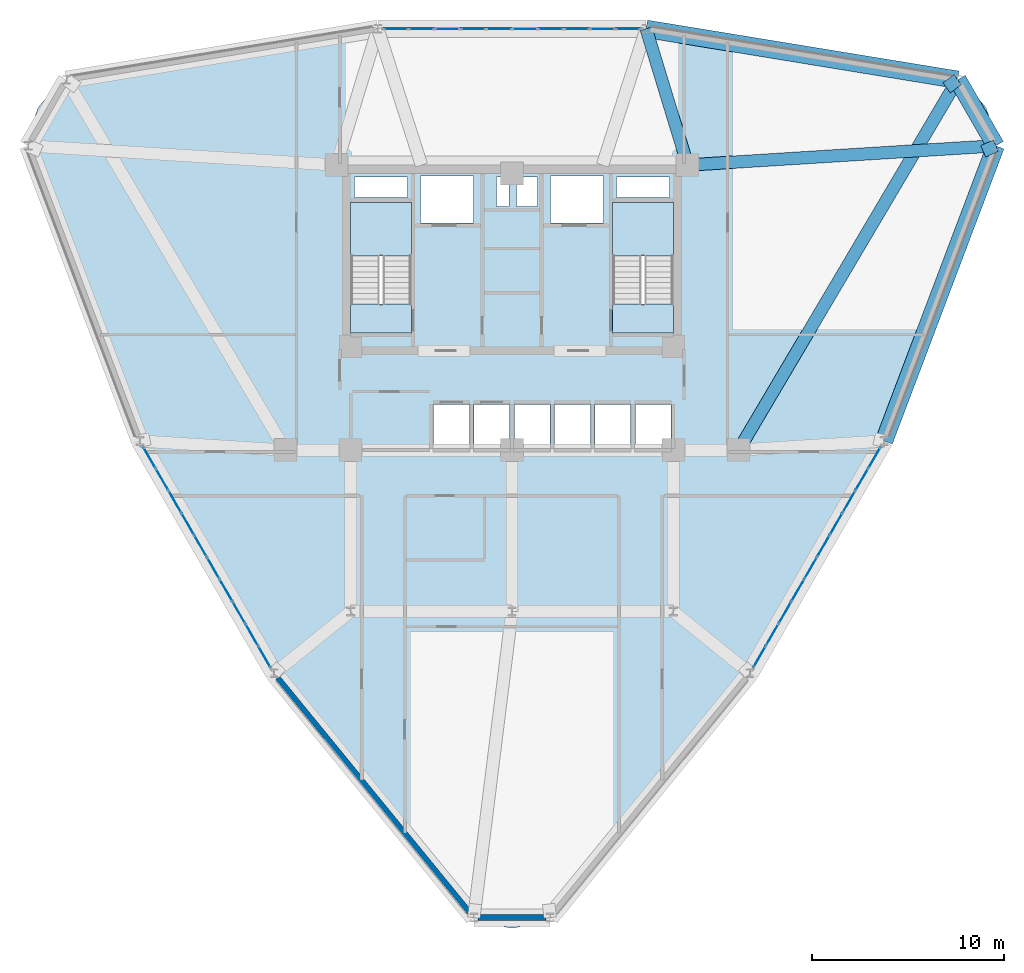
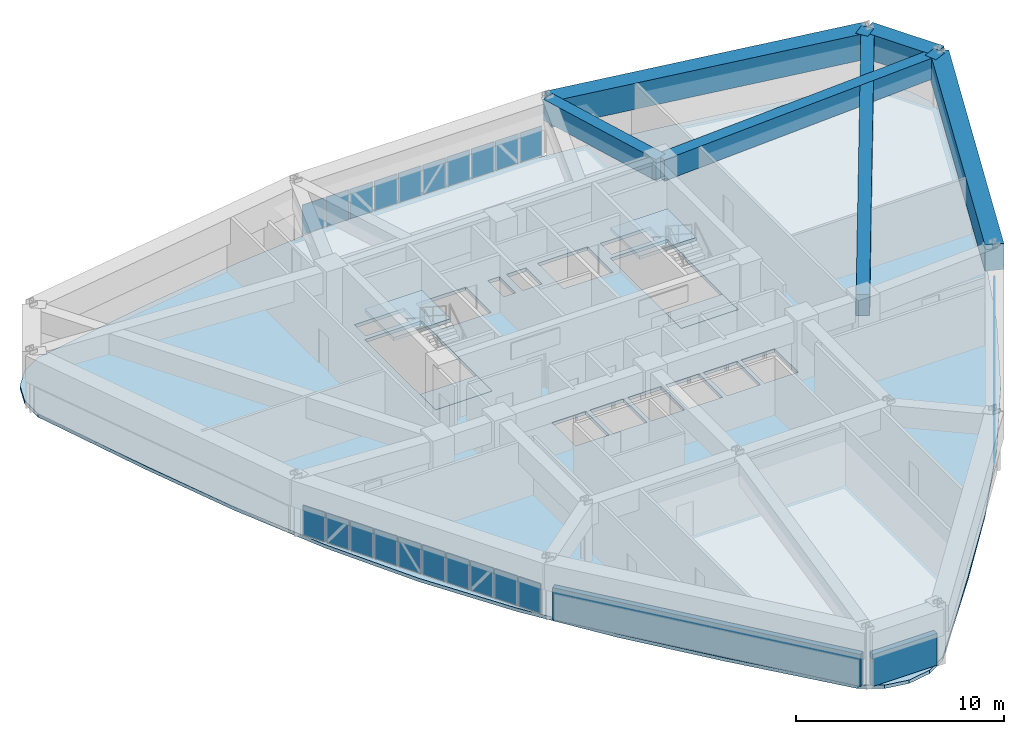
# One storey, part 9 of 15: 30 plates, 8 beams, 5 slabs, 2 walls, 5 elements without a shape of their own.
"""IFC4 building model written with IfcOpenShell, lengths in metres."""

from ifc_helpers import new_model, si_unit, derived_unit, direction, frame, frame_2d, origin, origin_2d, place, context, subcontext, project, spatial, polyline, rectangle, outline, extrude, source, transform, mapped, material, layer, layer_set, material_profile, profile_set, type_object, element, aggregate, save


model = new_model("IFC4")

# Units and contexts
model_context = context("Model", 3, precision=1e-05, world=origin(), true_north=direction((0.0, 1.0)))
body_context = subcontext(model_context, "Body", "Model", "MODEL_VIEW")
ifc_project = project(units=[si_unit("LENGTHUNIT", "METRE"), si_unit("AREAUNIT", "SQUARE_METRE"), si_unit("VOLUMEUNIT", "CUBIC_METRE"), si_unit("PLANEANGLEUNIT", "RADIAN"), si_unit("MASSUNIT", "GRAM", prefix="KILO"), derived_unit("THERMALTRANSMITTANCEUNIT", [(si_unit("POWERUNIT", "WATT"), 1), (si_unit("LENGTHUNIT", "METRE"), -2), (si_unit("THERMODYNAMICTEMPERATUREUNIT", "KELVIN"), -1)])], contexts=[model_context])

# Site, building, storey
site_placement = place(None, origin())
site = spatial("IfcSite", under=ifc_project, at=site_placement, CompositionType="ELEMENT")
building_placement = place(site_placement, origin())
building = spatial("IfcBuilding", under=site, at=building_placement, Name="Korsvarv Bourse and Concert Hall", CompositionType="ELEMENT")
storey_placement = place(building_placement, frame((0.0, 0.0, 117.0)))
storey = spatial("IfcBuildingStorey", under=building, at=storey_placement, Name="L29", CompositionType="ELEMENT", Elevation=117.0)

# Beams
ifc_material_1 = material(Name="Concrete C50/60", Category="concrete")
ifc_material_profile_1 = material_profile(ifc_material_1, rectangle(XDim=0.919921875, YDim=1.530029296875, at=origin_2d()), Name="RC-BM 920x1530")
ifc_profile_set_1 = profile_set([ifc_material_profile_1], Name="Concrete C50/60")
beam_type_1 = type_object("IfcBeamType", Name="BM-TR-154", PredefinedType="BEAM", material=ifc_profile_set_1)
shared_shape_1 = source(origin(), body_context, "Body", "SweptSolid", [
    extrude(rectangle(XDim=0.919921875, YDim=1.530029296875, at=origin_2d()), origin(), (0.0, 0.0, 1.0), 3.974609375),
])
beam_1_placement = place(storey_placement, frame((61.19482421875, 48.25146484375, 2.635009765625), z_axis=(-0.499997169302, 0.866027038082, 0.0), x_axis=(-0.866027038082, -0.499997169302, 0.0)))
element("IfcBeam", 1, at=beam_1_placement, inside=storey, type_object=beam_type_1, Name="L29 beam B-TR6", PredefinedType="BEAM", context=body_context, shape_type="MappedRepresentation", body=[
    mapped(shared_shape_1, transform((0.0, 0.0, 0.0), scale=1.0)),
])
shared_shape_2 = source(origin(), body_context, "Body", "SweptSolid", [
    extrude(rectangle(XDim=0.919921875, YDim=1.530029296875, at=origin_2d()), origin(), (0.0, 0.0, 1.0), 16.4345703125),
])
beam_2_placement = place(storey_placement, frame((59.20751953125, 51.693603515625, 2.635009765625), z_axis=(-0.986905771887, 0.161297853107, 0.0), x_axis=(-0.161297853107, -0.986905771887, 0.0)))
element("IfcBeam", 2, at=beam_2_placement, inside=storey, type_object=beam_type_1, Name="L29 beam B-TR6", PredefinedType="BEAM", context=body_context, shape_type="MappedRepresentation", body=[
    mapped(shared_shape_2, transform((0.0, 0.0, 0.0), scale=1.0)),
])
shared_shape_3 = source(origin(), body_context, "Body", "SweptSolid", [
    extrude(rectangle(XDim=0.919921875, YDim=1.530029296875, at=origin_2d()), origin(), (0.0, 0.0, 1.0), 16.434814453125),
])
beam_3_placement = place(storey_placement, frame((55.380859375, 32.87939453125, 2.635009765625), z_axis=(0.353759337672, 0.935336480102, 0.0), x_axis=(-0.935336480102, 0.353759337672, 0.0)))
element("IfcBeam", 3, at=beam_3_placement, inside=storey, type_object=beam_type_1, Name="L29 beam B-TR6", PredefinedType="BEAM", context=body_context, shape_type="MappedRepresentation", body=[
    mapped(shared_shape_3, transform((0.0, 0.0, 0.0), scale=1.0)),
])
ifc_material_profile_2 = material_profile(ifc_material_1, rectangle(XDim=0.64990234375, YDim=1.239990234375, at=origin_2d()), Name="RC-BM 650x1240")
ifc_profile_set_2 = profile_set([ifc_material_profile_2], Name="Concrete C50/60")
beam_type_2 = type_object("IfcBeamType", Name="BM-TR-SPN", PredefinedType="BEAM", material=ifc_profile_set_2)
shared_shape_4 = source(origin(), body_context, "Body", "SweptSolid", [
    extrude(rectangle(XDim=0.64990234375, YDim=1.239990234375, at=origin_2d()), origin(), (0.0, 0.0, 1.0), 16.076171875),
])
beam_4_placement = place(storey_placement, frame((61.19482421875, 48.25146484375, 2.780029296875), z_axis=(-0.998057775067, -0.062295085108, 0.0), x_axis=(0.062295085108, -0.998057775067, 0.0)))
element("IfcBeam", 4, at=beam_4_placement, inside=storey, type_object=beam_type_2, Name="L29 beam B-TRS", PredefinedType="BEAM", context=body_context, shape_type="MappedRepresentation", body=[
    mapped(shared_shape_4, transform((0.0, 0.0, 0.0), scale=1.0)),
])
shared_shape_5 = source(origin(), body_context, "Body", "SweptSolid", [
    extrude(rectangle(XDim=0.64990234375, YDim=1.239990234375, at=origin_2d()), origin(), (0.0, 0.0, 1.0), 22.413818359375),
])
beam_5_placement = place(storey_placement, frame((59.20751953125, 51.693603515625, 2.780029296875), z_axis=(-0.508949112593, -0.860796608259, 0.0), x_axis=(0.860796608259, -0.508949112593, 0.0)))
element("IfcBeam", 5, at=beam_5_placement, inside=storey, type_object=beam_type_2, Name="L29 beam B-TRS", PredefinedType="BEAM", context=body_context, shape_type="MappedRepresentation", body=[
    mapped(shared_shape_5, transform((0.0, 0.0, 0.0), scale=1.0)),
])
shared_shape_6 = source(origin(), body_context, "Body", "SweptSolid", [
    extrude(rectangle(XDim=0.64990234375, YDim=1.239990234375, at=origin_2d()), origin(), (0.0, 0.0, 1.0), 7.41650390625),
])
beam_6_placement = place(storey_placement, frame((42.988037109375, 54.344482421875, 2.780029296875), z_axis=(0.291491692849, -0.956573359968, 0.0), x_axis=(0.956573359968, 0.291491692849, 0.0)))
element("IfcBeam", 6, at=beam_6_placement, inside=storey, type_object=beam_type_2, Name="L29 beam B-TRS", PredefinedType="BEAM", context=body_context, shape_type="MappedRepresentation", body=[
    mapped(shared_shape_6, transform((0.0, 0.0, 0.0), scale=1.0)),
])
shared_shape_7 = source(origin(), body_context, "Body", "SweptSolid", [
    extrude(rectangle(XDim=0.64990234375, YDim=1.239990234375, at=origin_2d()), origin(), (0.0, 0.0, 1.0), 0.712646484375),
])
for number, where, z_axis, x_axis, name in (
    (7, (61.19482421875, 48.25146484375, 2.780029296875), (-0.916322355251, -0.400441433005, 0.0), (0.400441433005, -0.916322355251, 0.0), "L29 beam B-TRS"),
    (8, (59.20751953125, 51.693603515625, 2.780029296875), (-0.804986953406, -0.593292512042, 0.0), (0.593292512042, -0.804986953406, 0.0), "L29 beam B-TRS"),
):
    element("IfcBeam", number, at=place(storey_placement, frame(where, z_axis=z_axis, x_axis=x_axis)), inside=storey, type_object=beam_type_2, Name=name, PredefinedType="BEAM", context=body_context, shape_type="MappedRepresentation", body=[
        mapped(shared_shape_7, transform((0.0, 0.0, 0.0), scale=1.0)),
    ])

# Slabs
ifc_material_2 = material(Name="Precast concrete C45/55", Category="concrete")
ifc_layer_1 = layer(ifc_material_2, 0.199951171875)
ifc_layer_set_1 = layer_set([ifc_layer_1], Name="Precast concrete C45/55")
slab_type_1 = type_object("IfcSlabType", Name="SLB-FLND-T", PredefinedType="LANDING", material=ifc_layer_set_1)
slab_1_placement = place(storey_placement, frame((0.0, 0.0, -0.199951171875)))
element("IfcSlab", 9, at=slab_1_placement, inside=storey, type_object=slab_type_1, Name="L29 Stair ST-T1 Floor Landing Slab", PredefinedType="LANDING", context=body_context, shape_type="SweptSolid", body=[
    extrude(outline(polyline([(30.760009765625, 38.5), (30.760009765625, 40.0), (27.60009765625, 40.0), (27.60009765625, 38.5), (30.760009765625, 38.5)])), origin(), (0.0, 0.0, 1.0), 0.199951171875),
])
slab_2_placement = place(storey_placement, frame((0.0, 0.0, -0.199951171875)))
element("IfcSlab", 10, at=slab_2_placement, inside=storey, type_object=slab_type_1, Name="L29 Stair ST-T2 Floor Landing Slab", PredefinedType="LANDING", context=body_context, shape_type="SweptSolid", body=[
    extrude(outline(polyline([(44.39990234375, 38.5), (44.39990234375, 40.0), (41.239990234375, 40.0), (41.239990234375, 38.5), (44.39990234375, 38.5)])), origin(), (0.0, 0.0, 1.0), 0.199951171875),
])

# Stair, slab
stair_type = type_object("IfcStairType", Name="STR-TYPE-04", PredefinedType="HALF_TURN_STAIR", material=ifc_material_2)
stair_1_placement = place(storey_placement, origin())
stair_1 = element("IfcStair", 11, at=stair_1_placement, inside=storey, type_object=stair_type, Name="L29 Tower West Exit Stair ST-T1", PredefinedType="HALF_TURN_STAIR")
ifc_layer_2 = layer(ifc_material_2, 0.199951171875)
ifc_layer_set_2 = layer_set([ifc_layer_2], Name="Precast concrete C45/55")
slab_type_2 = type_object("IfcSlabType", Name="SLB-ST-LND", PredefinedType="LANDING", material=ifc_layer_set_2)
slab_3_placement = place(storey_placement, frame((0.0, 0.0, 1.60009765625)))
slab_3 = element("IfcSlab", 12, at=slab_3_placement, type_object=slab_type_2, Name="ST-T1 landing 1", PredefinedType="LANDING", context=body_context, shape_type="SweptSolid", body=[
    extrude(outline(polyline([(30.760009765625, 42.52001953125), (30.760009765625, 45.300048828125), (27.60009765625, 45.300048828125), (27.60009765625, 42.52001953125), (30.760009765625, 42.52001953125)])), origin(), (0.0, 0.0, 1.0), 0.199951171875),
])
aggregate(stair_1, [slab_3])

stair_2_placement = place(storey_placement, origin())
stair_2 = element("IfcStair", 13, at=stair_2_placement, inside=storey, type_object=stair_type, Name="L29 Tower East Exit Stair ST-T2", PredefinedType="HALF_TURN_STAIR")
slab_4_placement = place(storey_placement, frame((0.0, 0.0, 1.60009765625)))
slab_4 = element("IfcSlab", 14, at=slab_4_placement, type_object=slab_type_2, Name="ST-T2 landing 1", PredefinedType="LANDING", context=body_context, shape_type="SweptSolid", body=[
    extrude(outline(polyline([(44.39990234375, 42.52001953125), (44.39990234375, 45.300048828125), (41.239990234375, 45.300048828125), (41.239990234375, 42.52001953125), (44.39990234375, 42.52001953125)])), origin(), (0.0, 0.0, 1.0), 0.199951171875),
])
aggregate(stair_2, [slab_4])

# Slab
ifc_material_3 = material(Name="Concrete C45/55", Category="concrete")
ifc_layer_3 = layer(ifc_material_3, 0.199951171875)
ifc_layer_set_3 = layer_set([ifc_layer_3], Name="Concrete C45/55")
slab_type_3 = type_object("IfcSlabType", Name="SLB-TW2", PredefinedType="FLOOR", material=ifc_layer_set_3)
slab_5_placement = place(storey_placement, frame((0.0, 0.0, -0.199951171875)))
element("IfcSlab", 15, at=slab_5_placement, inside=storey, type_object=slab_type_3, Name="L29 tower structural floor slab", PredefinedType="FLOOR", context=body_context, shape_type="SweptSolid", body=[
    extrude(outline(polyline([(60.62451171875, 46.426025390625), (58.7880859375, 41.29345703125), (56.8310546875, 36.255859375), (54.64453125, 31.371337890625), (52.154296875, 26.67333984375), (49.330810546875, 22.167724609375), (46.19384765625, 17.831787109375), (42.809814453125, 13.6181640625), (39.283203125, 9.461669921875), (39.280029296875, 9.4580078125), (38.3603515625, 8.362060546875), (37.256103515625, 7.724609375), (36.0, 7.5029296875), (34.743896484375, 7.724609375), (33.6396484375, 8.362060546875), (32.719970703125, 9.4580078125), (32.716796875, 9.461669921875), (29.190185546875, 13.6181640625), (25.80615234375, 17.831787109375), (22.669189453125, 22.167724609375), (19.845703125, 26.67333984375), (17.35546875, 31.371337890625), (15.1689453125, 36.255859375), (13.2119140625, 41.29345703125), (11.37548828125, 46.426025390625), (11.373779296875, 46.430419921875), (10.884765625, 47.77490234375), (10.884765625, 49.050048828125), (11.32080078125, 50.24853515625), (12.140625, 51.2255859375), (13.2451171875, 51.863037109375), (14.65380859375, 52.111572265625), (14.65869140625, 52.1123046875), (20.021728515625, 53.08837890625), (25.36279296875, 53.912353515625), (30.686279296875, 54.4609375), (36.0, 54.6533203125), (41.313720703125, 54.4609375), (46.63720703125, 53.912353515625), (51.978271484375, 53.08837890625), (57.34130859375, 52.1123046875), (57.34619140625, 52.111572265625), (58.7548828125, 51.863037109375), (59.859375, 51.2255859375), (60.67919921875, 50.24853515625), (61.115234375, 49.050048828125), (61.115234375, 47.77490234375), (60.626220703125, 46.430419921875), (60.62451171875, 46.426025390625)]), holes=[polyline([(30.760009765625, 38.5), (30.760009765625, 45.300048828125), (27.60009765625, 45.300048828125), (27.60009765625, 38.5), (30.760009765625, 38.5)]), polyline([(44.39990234375, 38.5), (44.39990234375, 45.300048828125), (41.239990234375, 45.300048828125), (41.239990234375, 38.5), (44.39990234375, 38.5)]), polyline([(31.239990234375, 44.219970703125), (34.0, 44.219970703125), (34.0, 46.679931640625), (31.239990234375, 46.679931640625), (31.239990234375, 44.219970703125)]), polyline([(38.0, 44.219970703125), (40.760009765625, 44.219970703125), (40.760009765625, 46.679931640625), (38.0, 46.679931640625), (38.0, 44.219970703125)]), polyline([(31.919921875, 32.52001953125), (33.780029296875, 32.52001953125), (33.780029296875, 34.780029296875), (31.919921875, 34.780029296875), (31.919921875, 32.52001953125)]), polyline([(34.02001953125, 32.52001953125), (35.8798828125, 32.52001953125), (35.8798828125, 34.780029296875), (34.02001953125, 34.780029296875), (34.02001953125, 32.52001953125)]), polyline([(36.1201171875, 32.52001953125), (37.97998046875, 32.52001953125), (37.97998046875, 34.780029296875), (36.1201171875, 34.780029296875), (36.1201171875, 32.52001953125)]), polyline([(38.219970703125, 32.52001953125), (40.080078125, 32.52001953125), (40.080078125, 34.780029296875), (38.219970703125, 34.780029296875), (38.219970703125, 32.52001953125)]), polyline([(40.320068359375, 32.52001953125), (42.179931640625, 32.52001953125), (42.179931640625, 34.780029296875), (40.320068359375, 34.780029296875), (40.320068359375, 32.52001953125)]), polyline([(42.419921875, 32.52001953125), (44.280029296875, 32.52001953125), (44.280029296875, 34.780029296875), (42.419921875, 34.780029296875), (42.419921875, 32.52001953125)]), polyline([(27.800048828125, 45.56005859375), (30.56005859375, 45.56005859375), (30.56005859375, 46.6201171875), (27.800048828125, 46.6201171875), (27.800048828125, 45.56005859375)]), polyline([(41.43994140625, 45.56005859375), (44.199951171875, 45.56005859375), (44.199951171875, 46.6201171875), (41.43994140625, 46.6201171875), (41.43994140625, 45.56005859375)]), polyline([(35.199951171875, 45.080078125), (35.840087890625, 45.080078125), (35.840087890625, 46.6201171875), (35.199951171875, 46.6201171875), (35.199951171875, 45.080078125)]), polyline([(36.239990234375, 45.080078125), (37.320068359375, 45.080078125), (37.320068359375, 46.6201171875), (36.239990234375, 46.6201171875), (36.239990234375, 45.080078125)])]), origin(), (0.0, 0.0, 1.0), 0.199951171875),
])

# Curtain wall, plates
ifc_material_4 = material(Name="Anodised aluminium and triple low-E glazing", Category="glass")
ifc_layer_4 = layer(ifc_material_4, 0.2099609375)
ifc_layer_set_4 = layer_set([ifc_layer_4], Name="Anodised aluminium and triple low-E glazing")
curtain_wall_type = type_object("IfcCurtainWallType", Name="CW-SYS-2", PredefinedType="NOTDEFINED", material=ifc_layer_set_4)
curtain_wall_1_placement = place(storey_placement, origin())
curtain_wall_1 = element("IfcCurtainWall", 16, at=curtain_wall_1_placement, inside=storey, type_object=curtain_wall_type, Name="L29 CW2 curtain wall CW-L29-F03", PredefinedType="NOTDEFINED")
ifc_material_5 = material(Name="Tempered triple insulated low-E architectural glass", Category="glass")
ifc_layer_5 = layer(ifc_material_5, 0.0380859375)
ifc_layer_set_5 = layer_set([ifc_layer_5], Name="Tempered triple insulated low-E architectural glass")
plate_type_1 = type_object("IfcPlateType", Name="CWP-VIS2", PredefinedType="CURTAIN_PANEL", material=ifc_layer_set_5)
shared_shape_8 = source(origin(), body_context, "Body", "SweptSolid", [
    extrude(rectangle(XDim=1.24072265625, YDim=0.0380859375, at=origin_2d()), origin(), (0.0, 0.0, 1.0), 1.739990234375),
])
plate_1_placement = place(storey_placement, frame((42.03857421875, 54.344482421875, 0.06494140625), z_axis=(0.0, 0.0, 1.0), x_axis=(-1.0, 0.0, 0.0)))
plate_1 = element("IfcPlate", 17, at=plate_1_placement, type_object=plate_type_1, Name="CW2 faceted panel 1.1", PredefinedType="CURTAIN_PANEL", context=body_context, shape_type="MappedRepresentation", body=[
    mapped(shared_shape_8, transform((0.0, 0.0, 0.0), scale=1.0)),
])
plate_2_placement = place(storey_placement, frame((29.96142578125, 54.344482421875, 0.06494140625), z_axis=(0.0, 0.0, 1.0), x_axis=(-1.0, 0.0, 0.0)))
plate_2 = element("IfcPlate", 18, at=plate_2_placement, type_object=plate_type_1, Name="CW2 faceted panel 10.1", PredefinedType="CURTAIN_PANEL", context=body_context, shape_type="MappedRepresentation", body=[
    mapped(shared_shape_8, transform((0.0, 0.0, 0.0), scale=1.0)),
])
ifc_material_6 = material(Name="Insulated spandrel glass", Category="glass")
ifc_layer_6 = layer(ifc_material_6, 0.031982421875)
ifc_layer_set_6 = layer_set([ifc_layer_6], Name="Insulated spandrel glass")
plate_type_2 = type_object("IfcPlateType", Name="CWP-SPD1", PredefinedType="CURTAIN_PANEL", material=ifc_layer_set_6)
shared_shape_9 = source(origin(), body_context, "Body", "SweptSolid", [
    extrude(rectangle(XDim=1.27587890625, YDim=0.031982421875, at=origin_2d()), origin(), (0.0, 0.0, 1.0), 1.739990234375),
])
plate_3_placement = place(storey_placement, frame((40.710205078125, 54.344482421875, 0.06494140625), z_axis=(0.0, 0.0, 1.0), x_axis=(-1.0, 0.0, 0.0)))
plate_3 = element("IfcPlate", 19, at=plate_3_placement, type_object=plate_type_2, Name="CW2 spandrel shadow-box panel 2.1", PredefinedType="CURTAIN_PANEL", context=body_context, shape_type="MappedRepresentation", body=[
    mapped(shared_shape_9, transform((0.0, 0.0, 0.0), scale=1.0)),
])
plate_4_placement = place(storey_placement, frame((36.6728515625, 54.344482421875, 0.06494140625), z_axis=(0.0, 0.0, 1.0), x_axis=(-1.0, 0.0, 0.0)))
plate_4 = element("IfcPlate", 20, at=plate_4_placement, type_object=plate_type_2, Name="CW2 spandrel shadow-box panel 5.1", PredefinedType="CURTAIN_PANEL", context=body_context, shape_type="MappedRepresentation", body=[
    mapped(shared_shape_9, transform((0.0, 0.0, 0.0), scale=1.0)),
])
plate_5_placement = place(storey_placement, frame((32.635498046875, 54.344482421875, 0.06494140625), z_axis=(0.0, 0.0, 1.0), x_axis=(-1.0, 0.0, 0.0)))
plate_5 = element("IfcPlate", 21, at=plate_5_placement, type_object=plate_type_2, Name="CW2 spandrel shadow-box panel 8.1", PredefinedType="CURTAIN_PANEL", context=body_context, shape_type="MappedRepresentation", body=[
    mapped(shared_shape_9, transform((0.0, 0.0, 0.0), scale=1.0)),
])
shared_shape_10 = source(origin(), body_context, "Body", "SweptSolid", [
    extrude(rectangle(XDim=1.27587890625, YDim=0.0380859375, at=origin_2d()), origin(), (0.0, 0.0, 1.0), 1.739990234375),
])
plate_6_placement = place(storey_placement, frame((39.364501953125, 54.344482421875, 0.06494140625), z_axis=(0.0, 0.0, 1.0), x_axis=(-1.0, 0.0, 0.0)))
plate_6 = element("IfcPlate", 22, at=plate_6_placement, type_object=plate_type_1, Name="CW2 faceted panel 3.1", PredefinedType="CURTAIN_PANEL", context=body_context, shape_type="MappedRepresentation", body=[
    mapped(shared_shape_10, transform((0.0, 0.0, 0.0), scale=1.0)),
])
plate_7_placement = place(storey_placement, frame((38.018798828125, 54.344482421875, 0.06494140625), z_axis=(0.0, 0.0, 1.0), x_axis=(-1.0, 0.0, 0.0)))
plate_7 = element("IfcPlate", 23, at=plate_7_placement, type_object=plate_type_1, Name="CW2 faceted panel 4.1", PredefinedType="CURTAIN_PANEL", context=body_context, shape_type="MappedRepresentation", body=[
    mapped(shared_shape_10, transform((0.0, 0.0, 0.0), scale=1.0)),
])
plate_8_placement = place(storey_placement, frame((35.3271484375, 54.344482421875, 0.06494140625), z_axis=(0.0, 0.0, 1.0), x_axis=(-1.0, 0.0, 0.0)))
plate_8 = element("IfcPlate", 24, at=plate_8_placement, type_object=plate_type_1, Name="CW2 faceted panel 6.1", PredefinedType="CURTAIN_PANEL", context=body_context, shape_type="MappedRepresentation", body=[
    mapped(shared_shape_10, transform((0.0, 0.0, 0.0), scale=1.0)),
])
plate_9_placement = place(storey_placement, frame((33.981201171875, 54.344482421875, 0.06494140625), z_axis=(0.0, 0.0, 1.0), x_axis=(-1.0, 0.0, 0.0)))
plate_9 = element("IfcPlate", 25, at=plate_9_placement, type_object=plate_type_1, Name="CW2 faceted panel 7.1", PredefinedType="CURTAIN_PANEL", context=body_context, shape_type="MappedRepresentation", body=[
    mapped(shared_shape_10, transform((0.0, 0.0, 0.0), scale=1.0)),
])
plate_10_placement = place(storey_placement, frame((31.289794921875, 54.344482421875, 0.06494140625), z_axis=(0.0, 0.0, 1.0), x_axis=(-1.0, 0.0, 0.0)))
plate_10 = element("IfcPlate", 26, at=plate_10_placement, type_object=plate_type_1, Name="CW2 faceted panel 9.1", PredefinedType="CURTAIN_PANEL", context=body_context, shape_type="MappedRepresentation", body=[
    mapped(shared_shape_10, transform((0.0, 0.0, 0.0), scale=1.0)),
])
aggregate(curtain_wall_1, [plate_1, plate_3, plate_6, plate_7, plate_4, plate_8, plate_9, plate_5, plate_10, plate_2])

curtain_wall_2_placement = place(storey_placement, origin())
curtain_wall_2 = element("IfcCurtainWall", 27, at=curtain_wall_2_placement, inside=storey, type_object=curtain_wall_type, Name="L29 CW2 curtain wall CW-L29-F07", PredefinedType="NOTDEFINED")
shared_shape_11 = source(origin(), body_context, "Body", "SweptSolid", [
    extrude(rectangle(XDim=1.228515625, YDim=0.0380859375, at=origin_2d()), origin(), (0.0, 0.0, 1.0), 1.739990234375),
])
plate_11_placement = place(storey_placement, frame((17.121337890625, 32.009521484375, 0.06494140625), z_axis=(0.0, 0.0, 1.0), x_axis=(0.500006337402, -0.866021744853, 0.0)))
plate_11 = element("IfcPlate", 28, at=plate_11_placement, type_object=plate_type_1, Name="CW2 faceted panel 1.1", PredefinedType="CURTAIN_PANEL", context=body_context, shape_type="MappedRepresentation", body=[
    mapped(shared_shape_11, transform((0.0, 0.0, 0.0), scale=1.0)),
])
plate_12_placement = place(storey_placement, frame((23.10498046875, 21.64599609375, 0.06494140625), z_axis=(0.0, 0.0, 1.0), x_axis=(0.500006337402, -0.866021744853, 0.0)))
plate_12 = element("IfcPlate", 29, at=plate_12_placement, type_object=plate_type_1, Name="CW2 faceted panel 10.1", PredefinedType="CURTAIN_PANEL", context=body_context, shape_type="MappedRepresentation", body=[
    mapped(shared_shape_11, transform((0.0, 0.0, 0.0), scale=1.0)),
])

curtain_wall_3_placement = place(storey_placement, origin())
curtain_wall_3 = element("IfcCurtainWall", 30, at=curtain_wall_3_placement, inside=storey, type_object=curtain_wall_type, Name="L29 CW2 curtain wall CW-L29-F11", PredefinedType="NOTDEFINED")
plate_13_placement = place(storey_placement, frame((48.89501953125, 21.64599609375, 0.06494140625), z_axis=(0.0, 0.0, 1.0), x_axis=(0.500006337402, 0.866021744853, 0.0)))
plate_13 = element("IfcPlate", 31, at=plate_13_placement, type_object=plate_type_1, Name="CW2 faceted panel 1.1", PredefinedType="CURTAIN_PANEL", context=body_context, shape_type="MappedRepresentation", body=[
    mapped(shared_shape_11, transform((0.0, 0.0, 0.0), scale=1.0)),
])
plate_14_placement = place(storey_placement, frame((54.878662109375, 32.009521484375, 0.06494140625), z_axis=(0.0, 0.0, 1.0), x_axis=(0.500006337402, 0.866021744853, 0.0)))
plate_14 = element("IfcPlate", 32, at=plate_14_placement, type_object=plate_type_1, Name="CW2 faceted panel 10.1", PredefinedType="CURTAIN_PANEL", context=body_context, shape_type="MappedRepresentation", body=[
    mapped(shared_shape_11, transform((0.0, 0.0, 0.0), scale=1.0)),
])

# Plate
shared_shape_12 = source(origin(), body_context, "Body", "SweptSolid", [
    extrude(rectangle(XDim=1.263427734375, YDim=0.031982421875, at=origin_2d()), origin(), (0.0, 0.0, 1.0), 1.739990234375),
])
plate_15_placement = place(storey_placement, frame((17.779541015625, 30.86962890625, 0.06494140625), z_axis=(0.0, 0.0, 1.0), x_axis=(0.500006337402, -0.866021744853, 0.0)))
plate_15 = element("IfcPlate", 33, at=plate_15_placement, type_object=plate_type_2, Name="CW2 spandrel shadow-box panel 2.1", PredefinedType="CURTAIN_PANEL", context=body_context, shape_type="MappedRepresentation", body=[
    mapped(shared_shape_12, transform((0.0, 0.0, 0.0), scale=1.0)),
])

plate_16_placement = place(storey_placement, frame((19.77978515625, 27.405029296875, 0.06494140625), z_axis=(0.0, 0.0, 1.0), x_axis=(0.500006337402, -0.866021744853, 0.0)))
plate_16 = element("IfcPlate", 34, at=plate_16_placement, type_object=plate_type_2, Name="CW2 spandrel shadow-box panel 5.1", PredefinedType="CURTAIN_PANEL", context=body_context, shape_type="MappedRepresentation", body=[
    mapped(shared_shape_12, transform((0.0, 0.0, 0.0), scale=1.0)),
])

plate_17_placement = place(storey_placement, frame((21.780029296875, 23.9404296875, 0.06494140625), z_axis=(0.0, 0.0, 1.0), x_axis=(0.500006337402, -0.866021744853, 0.0)))
plate_17 = element("IfcPlate", 35, at=plate_17_placement, type_object=plate_type_2, Name="CW2 spandrel shadow-box panel 8.1", PredefinedType="CURTAIN_PANEL", context=body_context, shape_type="MappedRepresentation", body=[
    mapped(shared_shape_12, transform((0.0, 0.0, 0.0), scale=1.0)),
])

plate_18_placement = place(storey_placement, frame((49.55322265625, 22.78564453125, 0.06494140625), z_axis=(0.0, 0.0, 1.0), x_axis=(0.500006337402, 0.866021744853, 0.0)))
plate_18 = element("IfcPlate", 36, at=plate_18_placement, type_object=plate_type_2, Name="CW2 spandrel shadow-box panel 2.1", PredefinedType="CURTAIN_PANEL", context=body_context, shape_type="MappedRepresentation", body=[
    mapped(shared_shape_12, transform((0.0, 0.0, 0.0), scale=1.0)),
])

plate_19_placement = place(storey_placement, frame((51.553466796875, 26.250244140625, 0.06494140625), z_axis=(0.0, 0.0, 1.0), x_axis=(0.500006337402, 0.866021744853, 0.0)))
plate_19 = element("IfcPlate", 37, at=plate_19_placement, type_object=plate_type_2, Name="CW2 spandrel shadow-box panel 5.1", PredefinedType="CURTAIN_PANEL", context=body_context, shape_type="MappedRepresentation", body=[
    mapped(shared_shape_12, transform((0.0, 0.0, 0.0), scale=1.0)),
])

plate_20_placement = place(storey_placement, frame((53.5537109375, 29.71484375, 0.06494140625), z_axis=(0.0, 0.0, 1.0), x_axis=(0.500006337402, 0.866021744853, 0.0)))
plate_20 = element("IfcPlate", 38, at=plate_20_placement, type_object=plate_type_2, Name="CW2 spandrel shadow-box panel 8.1", PredefinedType="CURTAIN_PANEL", context=body_context, shape_type="MappedRepresentation", body=[
    mapped(shared_shape_12, transform((0.0, 0.0, 0.0), scale=1.0)),
])

shared_shape_13 = source(origin(), body_context, "Body", "SweptSolid", [
    extrude(rectangle(XDim=1.263427734375, YDim=0.0380859375, at=origin_2d()), origin(), (0.0, 0.0, 1.0), 1.739990234375),
])
plate_21_placement = place(storey_placement, frame((18.4462890625, 29.71484375, 0.06494140625), z_axis=(0.0, 0.0, 1.0), x_axis=(0.500006337402, -0.866021744853, 0.0)))
plate_21 = element("IfcPlate", 39, at=plate_21_placement, type_object=plate_type_1, Name="CW2 faceted panel 3.1", PredefinedType="CURTAIN_PANEL", context=body_context, shape_type="MappedRepresentation", body=[
    mapped(shared_shape_13, transform((0.0, 0.0, 0.0), scale=1.0)),
])

plate_22_placement = place(storey_placement, frame((19.113037109375, 28.56005859375, 0.06494140625), z_axis=(0.0, 0.0, 1.0), x_axis=(0.500006337402, -0.866021744853, 0.0)))
plate_22 = element("IfcPlate", 40, at=plate_22_placement, type_object=plate_type_1, Name="CW2 faceted panel 4.1", PredefinedType="CURTAIN_PANEL", context=body_context, shape_type="MappedRepresentation", body=[
    mapped(shared_shape_13, transform((0.0, 0.0, 0.0), scale=1.0)),
])

plate_23_placement = place(storey_placement, frame((20.446533203125, 26.250244140625, 0.06494140625), z_axis=(0.0, 0.0, 1.0), x_axis=(0.500006337402, -0.866021744853, 0.0)))
plate_23 = element("IfcPlate", 41, at=plate_23_placement, type_object=plate_type_1, Name="CW2 faceted panel 6.1", PredefinedType="CURTAIN_PANEL", context=body_context, shape_type="MappedRepresentation", body=[
    mapped(shared_shape_13, transform((0.0, 0.0, 0.0), scale=1.0)),
])

plate_24_placement = place(storey_placement, frame((21.11328125, 25.095458984375, 0.06494140625), z_axis=(0.0, 0.0, 1.0), x_axis=(0.500006337402, -0.866021744853, 0.0)))
plate_24 = element("IfcPlate", 42, at=plate_24_placement, type_object=plate_type_1, Name="CW2 faceted panel 7.1", PredefinedType="CURTAIN_PANEL", context=body_context, shape_type="MappedRepresentation", body=[
    mapped(shared_shape_13, transform((0.0, 0.0, 0.0), scale=1.0)),
])

plate_25_placement = place(storey_placement, frame((22.44677734375, 22.78564453125, 0.06494140625), z_axis=(0.0, 0.0, 1.0), x_axis=(0.500006337402, -0.866021744853, 0.0)))
plate_25 = element("IfcPlate", 43, at=plate_25_placement, type_object=plate_type_1, Name="CW2 faceted panel 9.1", PredefinedType="CURTAIN_PANEL", context=body_context, shape_type="MappedRepresentation", body=[
    mapped(shared_shape_13, transform((0.0, 0.0, 0.0), scale=1.0)),
])

aggregate(curtain_wall_2, [plate_11, plate_15, plate_21, plate_22, plate_16, plate_23, plate_24, plate_17, plate_25, plate_12])

plate_26_placement = place(storey_placement, frame((50.219970703125, 23.9404296875, 0.06494140625), z_axis=(0.0, 0.0, 1.0), x_axis=(0.500006337402, 0.866021744853, 0.0)))
plate_26 = element("IfcPlate", 44, at=plate_26_placement, type_object=plate_type_1, Name="CW2 faceted panel 3.1", PredefinedType="CURTAIN_PANEL", context=body_context, shape_type="MappedRepresentation", body=[
    mapped(shared_shape_13, transform((0.0, 0.0, 0.0), scale=1.0)),
])

plate_27_placement = place(storey_placement, frame((50.88671875, 25.095458984375, 0.06494140625), z_axis=(0.0, 0.0, 1.0), x_axis=(0.500006337402, 0.866021744853, 0.0)))
plate_27 = element("IfcPlate", 45, at=plate_27_placement, type_object=plate_type_1, Name="CW2 faceted panel 4.1", PredefinedType="CURTAIN_PANEL", context=body_context, shape_type="MappedRepresentation", body=[
    mapped(shared_shape_13, transform((0.0, 0.0, 0.0), scale=1.0)),
])

plate_28_placement = place(storey_placement, frame((52.22021484375, 27.405029296875, 0.06494140625), z_axis=(0.0, 0.0, 1.0), x_axis=(0.500006337402, 0.866021744853, 0.0)))
plate_28 = element("IfcPlate", 46, at=plate_28_placement, type_object=plate_type_1, Name="CW2 faceted panel 6.1", PredefinedType="CURTAIN_PANEL", context=body_context, shape_type="MappedRepresentation", body=[
    mapped(shared_shape_13, transform((0.0, 0.0, 0.0), scale=1.0)),
])

plate_29_placement = place(storey_placement, frame((52.886962890625, 28.56005859375, 0.06494140625), z_axis=(0.0, 0.0, 1.0), x_axis=(0.500006337402, 0.866021744853, 0.0)))
plate_29 = element("IfcPlate", 47, at=plate_29_placement, type_object=plate_type_1, Name="CW2 faceted panel 7.1", PredefinedType="CURTAIN_PANEL", context=body_context, shape_type="MappedRepresentation", body=[
    mapped(shared_shape_13, transform((0.0, 0.0, 0.0), scale=1.0)),
])

plate_30_placement = place(storey_placement, frame((54.220458984375, 30.86962890625, 0.06494140625), z_axis=(0.0, 0.0, 1.0), x_axis=(0.500006337402, 0.866021744853, 0.0)))
plate_30 = element("IfcPlate", 48, at=plate_30_placement, type_object=plate_type_1, Name="CW2 faceted panel 9.1", PredefinedType="CURTAIN_PANEL", context=body_context, shape_type="MappedRepresentation", body=[
    mapped(shared_shape_13, transform((0.0, 0.0, 0.0), scale=1.0)),
])

aggregate(curtain_wall_3, [plate_13, plate_18, plate_26, plate_27, plate_19, plate_28, plate_29, plate_20, plate_30, plate_14])

# Walls
ifc_material_7 = material(Name="Precast concrete C45/55 with terracotta rainscreen", Category="concrete")
ifc_layer_7 = layer(ifc_material_7, 0.300048828125)
ifc_layer_set_7 = layer_set([ifc_layer_7], Name="Precast concrete C45/55 with terracotta rainscreen")
wall_type_1 = type_object("IfcWallType", Name="WL-EXT-TC1", PredefinedType="SOLIDWALL", material=ifc_layer_set_7)
wall_1_placement = place(storey_placement, frame((34.2265625, 8.054931640625, 0.0), z_axis=(0.0, 0.0, 1.0), x_axis=(1.0, 0.0, 0.0)))
element("IfcWall", 49, at=wall_1_placement, inside=storey, type_object=wall_type_1, Name="L29 terracotta exterior wall EW-L29-B09", PredefinedType="SOLIDWALL", context=body_context, shape_type="SweptSolid", body=[
    extrude(rectangle(XDim=3.546875, YDim=0.300048828125, at=frame_2d((1.7734375, 0.0))), origin(), (0.0, 0.0, 1.0), 1.8701171875),
])
ifc_material_8 = material(Name="Precast concrete C45/55 with fluted terracotta pier", Category="concrete")
ifc_layer_8 = layer(ifc_material_8, 0.280029296875)
ifc_layer_set_8 = layer_set([ifc_layer_8], Name="Precast concrete C45/55 with fluted terracotta pier")
wall_type_2 = type_object("IfcWallType", Name="WL-EXT-TC2", PredefinedType="SOLIDWALL", material=ifc_layer_set_8)
wall_2_placement = place(storey_placement, frame((23.79736328125, 20.54345703125, 0.0), z_axis=(0.0, 0.0, 1.0), x_axis=(0.633140387555, -0.774036982092, 0.0)))
element("IfcWall", 50, at=wall_2_placement, inside=storey, type_object=wall_type_2, Name="L29 terracotta exterior wall EW-L29-B08", PredefinedType="SOLIDWALL", context=body_context, shape_type="SweptSolid", body=[
    extrude(rectangle(XDim=15.833984375, YDim=0.280029296875, at=frame_2d((7.9169921875, 0.0))), origin(), (0.0, 0.0, 1.0), 1.8701171875),
])

save(model, "model.ifc")
